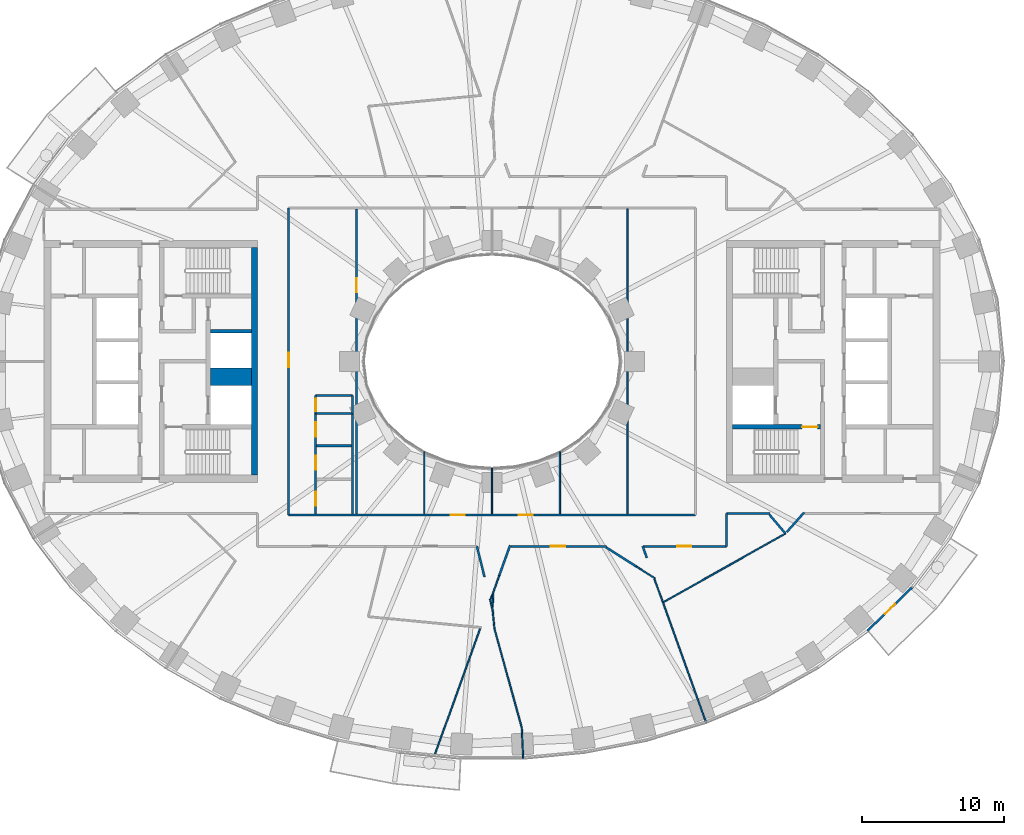
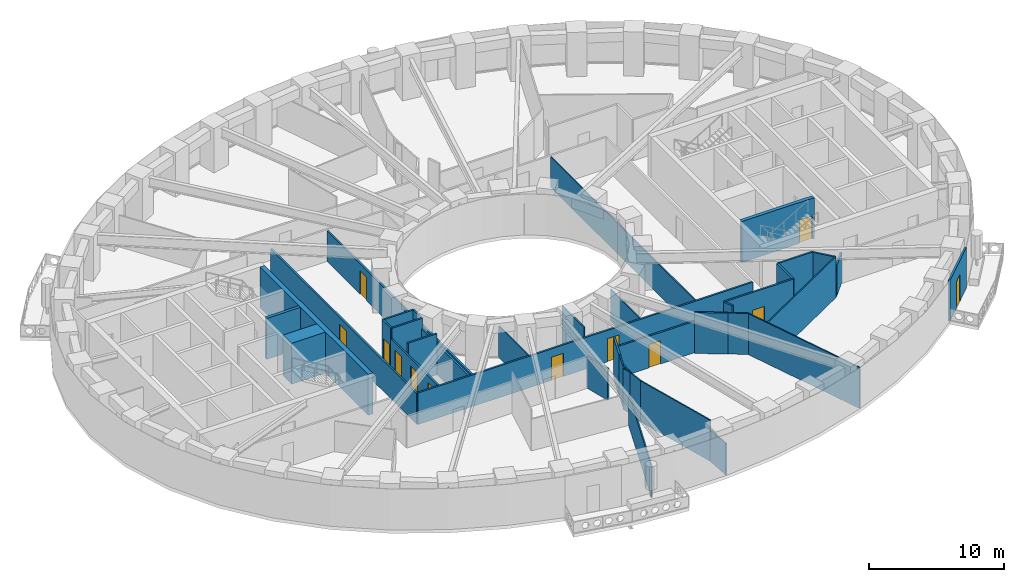
# One storey, part 4 of 16: 39 walls, 12 doors, 12 openings.
"""IFC4 building model written with IfcOpenShell, lengths in metres."""

from ifc_helpers import new_model, si_unit, direction, frame, frame_2d, origin, place, context, subcontext, project, spatial, rectangle, extrude, material, layer, layer_set, type_object, element, fill, save


model = new_model("IFC4")

# Units and contexts
model_context = context("Model", 3, precision=1e-05, world=origin(), true_north=direction((0.0, 1.0)))
body_context = subcontext(model_context, "Body", "Model", "MODEL_VIEW")
ifc_project = project(units=[si_unit("LENGTHUNIT", "METRE"), si_unit("AREAUNIT", "SQUARE_METRE"), si_unit("VOLUMEUNIT", "CUBIC_METRE"), si_unit("PLANEANGLEUNIT", "RADIAN"), si_unit("MASSUNIT", "GRAM", prefix="KILO")], contexts=[model_context])

# Site, building, storey
site_placement = place(None, origin())
site = spatial("IfcSite", under=ifc_project, at=site_placement, CompositionType="ELEMENT")
building_placement = place(site_placement, origin())
building = spatial("IfcBuilding", under=site, at=building_placement, Name="Noorbagh Ring Tower", CompositionType="ELEMENT")
storey_placement = place(building_placement, frame((0.0, 0.0, 46.5)))
storey = spatial("IfcBuildingStorey", under=building, at=storey_placement, Name="L09", CompositionType="ELEMENT", Elevation=46.5)

# Wall, opening, door
ifc_material_1 = material(Name="Gypsum board on steel studs", Category="steel")
ifc_layer_1 = layer(ifc_material_1, 0.14990234375)
ifc_layer_set_1 = layer_set([ifc_layer_1], Name="Gypsum board on steel studs")
wall_type_1 = type_object("IfcWallType", Name="COMPARTMENT PARTITION 150 EI 60", PredefinedType="PARTITIONING", material=ifc_layer_set_1)
wall_1_placement = place(storey_placement, frame((-12.39990234375, -3.659912109375, 0.0), z_axis=(0.0, 0.0, 1.0), x_axis=(0.0, 1.0, 0.0)))
wall_1 = element("IfcWall", 1, at=wall_1_placement, inside=storey, type_object=wall_type_1, Name="L09/wall/P22", PredefinedType="PARTITIONING", context=body_context, shape_type="SweptSolid", body=[
    extrude(rectangle(XDim=1.260009765625, YDim=0.14990234375, at=frame_2d((0.6298828125, 0.0))), origin(), (0.0, 0.0, 1.0), 3.699951171875),
])
opening_1_placement = place(wall_1_placement, frame((0.14990234375, 0.0, 0.0)))
opening_1 = element("IfcOpeningElement", 2, at=opening_1_placement, cuts=wall_1, Name="Opening D4", PredefinedType="OPENING", context=body_context, shape_type="SweptSolid", body=[
    extrude(rectangle(XDim=0.89990234375, YDim=2.10009765625, at=frame_2d((0.449951171875, 1.050048828125))), frame((0.0, 0.0849609375, 0.0), z_axis=(0.0, -1.0, 0.0), x_axis=(1.0, 0.0, 0.0)), (0.0, 0.0, 1.0), 0.169921875),
])
ifc_material_2 = material(Name="Timber, painted", Category="wood")
door_type_1 = type_object("IfcDoorType", Name="DOOR 900 X 2100 FD60", OperationType="SINGLE_SWING_LEFT", PredefinedType="DOOR", material=ifc_material_2)
door_1_placement = place(opening_1_placement, origin())
door_1 = element("IfcDoor", 3, at=door_1_placement, inside=storey, type_object=door_type_1, Name="L09-D05", OperationType="SINGLE_SWING_LEFT", OverallHeight=2.10009765625, OverallWidth=0.89990234375, PredefinedType="DOOR", context=body_context, shape_type="SweptSolid", body=[
    extrude(rectangle(XDim=0.89990234375, YDim=2.10009765625, at=frame_2d((0.449951171875, 1.050048828125))), frame((0.0, 0.02490234375, 0.0), z_axis=(0.0, -1.0, 0.0), x_axis=(1.0, 0.0, 0.0)), (0.0, 0.0, 1.0), 0.050048828125),
])
fill(opening_1, door_1)

# Walls
wall_2_placement = place(storey_placement, frame((-12.39990234375, -3.659912109375, 0.0), z_axis=(0.0, 0.0, 1.0), x_axis=(1.0, 0.0, 0.0)))
element("IfcWall", 4, at=wall_2_placement, inside=storey, type_object=wall_type_1, Name="L09/wall/P23", PredefinedType="PARTITIONING", context=body_context, shape_type="SweptSolid", body=[
    extrude(rectangle(XDim=2.599853515625, YDim=0.14990234375, at=frame_2d((1.2998046875, 0.0))), origin(), (0.0, 0.0, 1.0), 3.699951171875),
])
wall_3_placement = place(storey_placement, frame((-12.39990234375, -2.39990234375, 0.0), z_axis=(0.0, 0.0, 1.0), x_axis=(1.0, 0.0, 0.0)))
element("IfcWall", 5, at=wall_3_placement, inside=storey, type_object=wall_type_1, Name="L09/wall/P24", PredefinedType="PARTITIONING", context=body_context, shape_type="SweptSolid", body=[
    extrude(rectangle(XDim=2.595947265625, YDim=0.14990234375, at=frame_2d((1.2978515625, 0.0))), origin(), (0.0, 0.0, 1.0), 3.699951171875),
])
wall_4_placement = place(storey_placement, frame((-9.800048828125, -3.659912109375, 0.0), z_axis=(0.0, 0.0, 1.0), x_axis=(0.0, 1.0, 0.0)))
element("IfcWall", 6, at=wall_4_placement, inside=storey, type_object=wall_type_1, Name="L09/wall/P26", PredefinedType="PARTITIONING", context=body_context, shape_type="SweptSolid", body=[
    extrude(rectangle(XDim=1.255859375, YDim=0.14990234375, at=frame_2d((0.6279296875, 0.0))), origin(), (0.0, 0.0, 1.0), 3.699951171875),
])
ifc_material_3 = material(Name="Concrete C70/85", Category="concrete")
ifc_layer_2 = layer(ifc_material_3, 1.25)
ifc_layer_set_2 = layer_set([ifc_layer_2], Name="Concrete C70/85")
wall_type_2 = type_object("IfcWallType", Name="CORE-WALL-1250-C70-85-EI120", PredefinedType="SHEAR", material=ifc_layer_set_2)
wall_5_placement = place(storey_placement, frame((-16.89990234375, -1.074951171875, 0.0), z_axis=(0.0, 0.0, 1.0), x_axis=(-1.0, 0.0, 0.0)))
element("IfcWall", 7, at=wall_5_placement, inside=storey, type_object=wall_type_2, Name="Core wall W", PredefinedType="SHEAR", context=body_context, shape_type="SweptSolid", body=[
    extrude(rectangle(XDim=2.900146484375, YDim=1.25, at=frame_2d((1.4501953125, 0.0))), origin(), (0.0, 0.0, 1.0), 3.699951171875),
])
ifc_material_4 = material(Name="Concrete C70/85", Category="concrete")
ifc_layer_3 = layer(ifc_material_4, 0.25)
ifc_layer_set_3 = layer_set([ifc_layer_3], Name="Concrete C70/85")
wall_type_3 = type_object("IfcWallType", Name="CORE-WALL-250-C70-85-EI120", PredefinedType="SHEAR", material=ifc_layer_set_3)
wall_6_placement = place(storey_placement, frame((-16.89990234375, 2.125, 0.0), z_axis=(0.0, 0.0, 1.0), x_axis=(-1.0, 0.0, 0.0)))
element("IfcWall", 8, at=wall_6_placement, inside=storey, type_object=wall_type_3, Name="Core wall W", PredefinedType="SHEAR", context=body_context, shape_type="SweptSolid", body=[
    extrude(rectangle(XDim=2.900146484375, YDim=0.25, at=frame_2d((1.4501953125, 0.0))), origin(), (0.0, 0.0, 1.0), 3.699951171875),
])

# Wall, opening, door
ifc_material_5 = material(Name="Concrete C70/85", Category="concrete")
ifc_layer_4 = layer(ifc_material_5, 0.300048828125)
ifc_layer_set_4 = layer_set([ifc_layer_4], Name="Concrete C70/85")
wall_type_4 = type_object("IfcWallType", Name="CORE-WALL-300-C70-85-EI240", PredefinedType="SHEAR", material=ifc_layer_set_4)
wall_7_placement = place(storey_placement, frame((16.89990234375, -4.60009765625, 0.0), z_axis=(0.0, 0.0, 1.0), x_axis=(1.0, 0.0, 0.0)))
wall_7 = element("IfcWall", 9, at=wall_7_placement, inside=storey, type_object=wall_type_4, Name="Core wall E", PredefinedType="SHEAR", context=body_context, shape_type="SweptSolid", body=[
    extrude(rectangle(XDim=6.18017578125, YDim=0.300048828125, at=frame_2d((3.090087890625, 0.0))), origin(), (0.0, 0.0, 1.0), 3.699951171875),
])
opening_2_placement = place(wall_7_placement, frame((4.89990234375, 0.0, 0.0)))
opening_2 = element("IfcOpeningElement", 10, at=opening_2_placement, cuts=wall_7, Name="Opening L09-CE06", PredefinedType="OPENING", context=body_context, shape_type="SweptSolid", body=[
    extrude(rectangle(XDim=1.10009765625, YDim=2.10009765625, at=frame_2d((0.550048828125, 1.050048828125))), frame((0.0, 0.16015625, 0.0), z_axis=(0.0, -1.0, 0.0), x_axis=(1.0, 0.0, 0.0)), (0.0, 0.0, 1.0), 0.320068359375),
])
ifc_material_6 = material(Name="Steel door leaf", Category="steel")
door_type_2 = type_object("IfcDoorType", Name="CORE-DOOR-DSTAIR", OperationType="SINGLE_SWING_LEFT", PredefinedType="DOOR", material=ifc_material_6)
door_2_placement = place(opening_2_placement, origin())
door_2 = element("IfcDoor", 11, at=door_2_placement, inside=storey, type_object=door_type_2, Name="Stair door ST4 L09-CE06", OperationType="SINGLE_SWING_RIGHT", OverallHeight=2.10009765625, OverallWidth=1.10009765625, PredefinedType="DOOR", context=body_context, shape_type="SweptSolid", body=[
    extrude(rectangle(XDim=1.10009765625, YDim=2.10009765625, at=frame_2d((0.550048828125, 1.050048828125))), frame((0.0, 0.02490234375, 0.0), z_axis=(0.0, -1.0, 0.0), x_axis=(1.0, 0.0, 0.0)), (0.0, 0.0, 1.0), 0.050048828125),
])
fill(opening_2, door_2)

# Wall
ifc_material_7 = material(Name="Concrete C70/85", Category="concrete")
ifc_layer_5 = layer(ifc_material_7, 0.39990234375)
ifc_layer_set_5 = layer_set([ifc_layer_5], Name="Concrete C70/85")
wall_type_5 = type_object("IfcWallType", Name="CORE-WALL-400-C70-85-EI240", PredefinedType="SHEAR", material=ifc_layer_set_5)
wall_8_placement = place(storey_placement, frame((-16.699951171875, -8.0, 0.0), z_axis=(0.0, 0.0, 1.0), x_axis=(0.0, 1.0, 0.0)))
element("IfcWall", 12, at=wall_8_placement, inside=storey, type_object=wall_type_5, Name="Core wall W", PredefinedType="SHEAR", context=body_context, shape_type="SweptSolid", body=[
    extrude(rectangle(XDim=16.0, YDim=0.39990234375, at=frame_2d((8.0, 0.0))), origin(), (0.0, 0.0, 1.0), 3.699951171875),
])

# Wall, opening, door
ifc_material_8 = material(Name="Gypsum board on steel studs", Category="steel")
ifc_layer_6 = layer(ifc_material_8, 0.14990234375)
ifc_layer_set_6 = layer_set([ifc_layer_6], Name="Gypsum board on steel studs")
wall_type_6 = type_object("IfcWallType", Name="CORRIDOR PARTITION 150 EI 30", PredefinedType="PARTITIONING", material=ifc_layer_set_6)
wall_9_placement = place(storey_placement, frame((-14.300048828125, -10.800048828125, 0.0), z_axis=(0.0, 0.0, 1.0), x_axis=(0.0, 1.0, 0.0)))
wall_9 = element("IfcWall", 13, at=wall_9_placement, inside=storey, type_object=wall_type_6, Name="L09/wall/P16", PredefinedType="PARTITIONING", context=body_context, shape_type="SweptSolid", body=[
    extrude(rectangle(XDim=21.60009765625, YDim=0.14990234375, at=frame_2d((10.800048828125, 0.0))), origin(), (0.0, 0.0, 1.0), 2.75),
])
opening_3_placement = place(wall_9_placement, frame((10.39990234375, 0.0, 0.0)))
opening_3 = element("IfcOpeningElement", 14, at=opening_3_placement, cuts=wall_9, Name="Opening D1", PredefinedType="OPENING", context=body_context, shape_type="SweptSolid", body=[
    extrude(rectangle(XDim=1.0, YDim=2.10009765625, at=frame_2d((0.5, 1.050048828125))), frame((0.0, 0.0849609375, 0.0), z_axis=(0.0, -1.0, 0.0), x_axis=(1.0, 0.0, 0.0)), (0.0, 0.0, 1.0), 0.169921875),
])
ifc_material_9 = material(Name="Timber, painted", Category="wood")
door_type_3 = type_object("IfcDoorType", Name="DOOR 1000 X 2100 FD30", OperationType="SINGLE_SWING_LEFT", PredefinedType="DOOR", material=ifc_material_9)
door_3_placement = place(opening_3_placement, origin())
door_3 = element("IfcDoor", 15, at=door_3_placement, inside=storey, type_object=door_type_3, Name="L09-D01", OperationType="SINGLE_SWING_LEFT", OverallHeight=2.10009765625, OverallWidth=1.0, PredefinedType="DOOR", context=body_context, shape_type="SweptSolid", body=[
    extrude(rectangle(XDim=1.0, YDim=2.10009765625, at=frame_2d((0.5, 1.050048828125))), frame((0.0, 0.02490234375, 0.0), z_axis=(0.0, -1.0, 0.0), x_axis=(1.0, 0.0, 0.0)), (0.0, 0.0, 1.0), 0.050048828125),
])
fill(opening_3, door_3)

# Wall, openings, doors
wall_10_placement = place(storey_placement, frame((-14.300048828125, -10.800048828125, 0.0), z_axis=(0.0, 0.0, 1.0), x_axis=(1.0, 0.0, 0.0)))
wall_10 = element("IfcWall", 16, at=wall_10_placement, inside=storey, type_object=wall_type_6, Name="L09/wall/P17", PredefinedType="PARTITIONING", context=body_context, shape_type="SweptSolid", body=[
    extrude(rectangle(XDim=28.60009765625, YDim=0.14990234375, at=frame_2d((14.300048828125, 0.0))), origin(), (0.0, 0.0, 1.0), 2.85009765625),
])
opening_4_placement = place(wall_10_placement, frame((11.39990234375, 0.0, 0.0)))
opening_4 = element("IfcOpeningElement", 17, at=opening_4_placement, cuts=wall_10, Name="Opening D1", PredefinedType="OPENING", context=body_context, shape_type="SweptSolid", body=[
    extrude(rectangle(XDim=1.0, YDim=2.10009765625, at=frame_2d((0.5, 1.050048828125))), frame((0.0, 0.0849609375, 0.0), z_axis=(0.0, -1.0, 0.0), x_axis=(1.0, 0.0, 0.0)), (0.0, 0.0, 1.0), 0.169921875),
])
opening_5_placement = place(wall_10_placement, frame((16.1669921875, 0.0, 0.0)))
opening_5 = element("IfcOpeningElement", 18, at=opening_5_placement, cuts=wall_10, Name="Opening D1", PredefinedType="OPENING", context=body_context, shape_type="SweptSolid", body=[
    extrude(rectangle(XDim=1.0, YDim=2.10009765625, at=frame_2d((0.5, 1.050048828125))), frame((0.0, 0.0849609375, 0.0), z_axis=(0.0, -1.0, 0.0), x_axis=(1.0, 0.0, 0.0)), (0.0, 0.0, 1.0), 0.169921875),
])
door_4_placement = place(opening_4_placement, origin())
door_4 = element("IfcDoor", 19, at=door_4_placement, inside=storey, type_object=door_type_3, Name="L09-D21", OperationType="SINGLE_SWING_LEFT", OverallHeight=2.10009765625, OverallWidth=1.0, PredefinedType="DOOR", context=body_context, shape_type="SweptSolid", body=[
    extrude(rectangle(XDim=1.0, YDim=2.10009765625, at=frame_2d((0.5, 1.050048828125))), frame((0.0, 0.02490234375, 0.0), z_axis=(0.0, -1.0, 0.0), x_axis=(1.0, 0.0, 0.0)), (0.0, 0.0, 1.0), 0.050048828125),
])
fill(opening_4, door_4)
door_5_placement = place(opening_5_placement, origin())
door_5 = element("IfcDoor", 20, at=door_5_placement, inside=storey, type_object=door_type_3, Name="L09-D23", OperationType="SINGLE_SWING_LEFT", OverallHeight=2.10009765625, OverallWidth=1.0, PredefinedType="DOOR", context=body_context, shape_type="SweptSolid", body=[
    extrude(rectangle(XDim=1.0, YDim=2.10009765625, at=frame_2d((0.5, 1.050048828125))), frame((0.0, 0.02490234375, 0.0), z_axis=(0.0, -1.0, 0.0), x_axis=(1.0, 0.0, 0.0)), (0.0, 0.0, 1.0), 0.050048828125),
])
fill(opening_5, door_5)

wall_11_placement = place(storey_placement, frame((-12.39990234375, -10.72509765625, 0.0), z_axis=(0.0, 0.0, 1.0), x_axis=(0.0, 1.0, 0.0)))
wall_11 = element("IfcWall", 21, at=wall_11_placement, inside=storey, type_object=wall_type_6, Name="L09/wall/P19", PredefinedType="PARTITIONING", context=body_context, shape_type="SweptSolid", body=[
    extrude(rectangle(XDim=7.065185546875, YDim=0.14990234375, at=frame_2d((3.53271484375, 0.0))), origin(), (0.0, 0.0, 1.0), 2.75),
])
opening_6_placement = place(wall_11_placement, frame((0.574951171875, 0.0, 0.0)))
opening_6 = element("IfcOpeningElement", 22, at=opening_6_placement, cuts=wall_11, Name="Opening D3", PredefinedType="OPENING", context=body_context, shape_type="SweptSolid", body=[
    extrude(rectangle(XDim=1.0, YDim=2.10009765625, at=frame_2d((0.5, 1.050048828125))), frame((0.0, 0.0849609375, 0.0), z_axis=(0.0, -1.0, 0.0), x_axis=(1.0, 0.0, 0.0)), (0.0, 0.0, 1.0), 0.169921875),
])
opening_7_placement = place(wall_11_placement, frame((3.094970703125, 0.0, 0.0)))
opening_7 = element("IfcOpeningElement", 23, at=opening_7_placement, cuts=wall_11, Name="Opening D3", PredefinedType="OPENING", context=body_context, shape_type="SweptSolid", body=[
    extrude(rectangle(XDim=1.0, YDim=2.10009765625, at=frame_2d((0.5, 1.050048828125))), frame((0.0, 0.0849609375, 0.0), z_axis=(0.0, -1.0, 0.0), x_axis=(1.0, 0.0, 0.0)), (0.0, 0.0, 1.0), 0.169921875),
])
opening_8_placement = place(wall_11_placement, frame((5.447021484375, 0.0, 0.0)))
opening_8 = element("IfcOpeningElement", 24, at=opening_8_placement, cuts=wall_11, Name="Opening D3", PredefinedType="OPENING", context=body_context, shape_type="SweptSolid", body=[
    extrude(rectangle(XDim=1.0, YDim=2.10009765625, at=frame_2d((0.5, 1.050048828125))), frame((0.0, 0.0849609375, 0.0), z_axis=(0.0, -1.0, 0.0), x_axis=(1.0, 0.0, 0.0)), (0.0, 0.0, 1.0), 0.169921875),
])
ifc_material_10 = material(Name="Timber, painted", Category="wood")
door_type_4 = type_object("IfcDoorType", Name="DOOR 1000 X 2100 WC", OperationType="SINGLE_SWING_LEFT", PredefinedType="DOOR", material=ifc_material_10)
door_6_placement = place(opening_6_placement, origin())
door_6 = element("IfcDoor", 25, at=door_6_placement, inside=storey, type_object=door_type_4, Name="L09-D02", OperationType="SINGLE_SWING_RIGHT", OverallHeight=2.10009765625, OverallWidth=1.0, PredefinedType="DOOR", context=body_context, shape_type="SweptSolid", body=[
    extrude(rectangle(XDim=1.0, YDim=2.10009765625, at=frame_2d((0.5, 1.050048828125))), frame((0.0, 0.02490234375, 0.0), z_axis=(0.0, -1.0, 0.0), x_axis=(1.0, 0.0, 0.0)), (0.0, 0.0, 1.0), 0.050048828125),
])
fill(opening_6, door_6)
door_7_placement = place(opening_7_placement, origin())
door_7 = element("IfcDoor", 26, at=door_7_placement, inside=storey, type_object=door_type_4, Name="L09-D03", OperationType="SINGLE_SWING_LEFT", OverallHeight=2.10009765625, OverallWidth=1.0, PredefinedType="DOOR", context=body_context, shape_type="SweptSolid", body=[
    extrude(rectangle(XDim=1.0, YDim=2.10009765625, at=frame_2d((0.5, 1.050048828125))), frame((0.0, 0.02490234375, 0.0), z_axis=(0.0, -1.0, 0.0), x_axis=(1.0, 0.0, 0.0)), (0.0, 0.0, 1.0), 0.050048828125),
])
fill(opening_7, door_7)
door_8_placement = place(opening_8_placement, origin())
door_8 = element("IfcDoor", 27, at=door_8_placement, inside=storey, type_object=door_type_4, Name="L09-D04", OperationType="SINGLE_SWING_RIGHT", OverallHeight=2.10009765625, OverallWidth=1.0, PredefinedType="DOOR", context=body_context, shape_type="SweptSolid", body=[
    extrude(rectangle(XDim=1.0, YDim=2.10009765625, at=frame_2d((0.5, 1.050048828125))), frame((0.0, 0.02490234375, 0.0), z_axis=(0.0, -1.0, 0.0), x_axis=(1.0, 0.0, 0.0)), (0.0, 0.0, 1.0), 0.050048828125),
])
fill(opening_8, door_8)

# Walls
wall_12_placement = place(storey_placement, frame((-12.324951171875, -5.927978515625, 0.0), z_axis=(0.0, 0.0, 1.0), x_axis=(1.0, 0.0, 0.0)))
element("IfcWall", 28, at=wall_12_placement, inside=storey, type_object=wall_type_6, Name="L09/wall/P21", PredefinedType="PARTITIONING", context=body_context, shape_type="SweptSolid", body=[
    extrude(rectangle(XDim=2.449951171875, YDim=0.14990234375, at=frame_2d((1.22509765625, 0.0))), origin(), (0.0, 0.0, 1.0), 3.699951171875),
])
wall_13_placement = place(storey_placement, frame((-9.800048828125, -10.72509765625, 0.0), z_axis=(0.0, 0.0, 1.0), x_axis=(0.0, 1.0, 0.0)))
element("IfcWall", 29, at=wall_13_placement, inside=storey, type_object=wall_type_6, Name="L09/wall/P25", PredefinedType="PARTITIONING", context=body_context, shape_type="SweptSolid", body=[
    extrude(rectangle(XDim=7.065185546875, YDim=0.14990234375, at=frame_2d((3.53271484375, 0.0))), origin(), (0.0, 0.0, 1.0), 2.75),
])

# Wall, opening, door
wall_14_placement = place(storey_placement, frame((-9.532958984375, -10.72509765625, 0.0), z_axis=(0.0, 0.0, 1.0), x_axis=(0.0, 1.0, 0.0)))
wall_14 = element("IfcWall", 30, at=wall_14_placement, inside=storey, type_object=wall_type_6, Name="L09/wall/P27", PredefinedType="PARTITIONING", context=body_context, shape_type="SweptSolid", body=[
    extrude(rectangle(XDim=21.4501953125, YDim=0.14990234375, at=frame_2d((10.72509765625, 0.0))), origin(), (0.0, 0.0, 1.0), 2.75),
])
opening_9_placement = place(wall_14_placement, frame((15.574951171875, 0.0, 0.0)))
opening_9 = element("IfcOpeningElement", 31, at=opening_9_placement, cuts=wall_14, Name="Opening D1", PredefinedType="OPENING", context=body_context, shape_type="SweptSolid", body=[
    extrude(rectangle(XDim=1.0, YDim=2.10009765625, at=frame_2d((0.5, 1.050048828125))), frame((0.0, 0.0849609375, 0.0), z_axis=(0.0, -1.0, 0.0), x_axis=(1.0, 0.0, 0.0)), (0.0, 0.0, 1.0), 0.169921875),
])
door_9_placement = place(opening_9_placement, origin())
door_9 = element("IfcDoor", 32, at=door_9_placement, inside=storey, type_object=door_type_3, Name="L09-D20", OperationType="SINGLE_SWING_RIGHT", OverallHeight=2.10009765625, OverallWidth=1.0, PredefinedType="DOOR", context=body_context, shape_type="SweptSolid", body=[
    extrude(rectangle(XDim=1.0, YDim=2.10009765625, at=frame_2d((0.5, 1.050048828125))), frame((0.0, 0.02490234375, 0.0), z_axis=(0.0, -1.0, 0.0), x_axis=(1.0, 0.0, 0.0)), (0.0, 0.0, 1.0), 0.050048828125),
])
fill(opening_9, door_9)

# Walls
wall_15_placement = place(storey_placement, frame((-1.06103515625, -13.0, 0.0), z_axis=(0.0, 0.0, 1.0), x_axis=(0.240081023427, -0.9707528533, 0.0)))
element("IfcWall", 33, at=wall_15_placement, inside=storey, type_object=wall_type_6, Name="L09/wall/P38", PredefinedType="PARTITIONING", context=body_context, shape_type="SweptSolid", body=[
    extrude(rectangle(XDim=2.223876953125, YDim=0.14990234375, at=frame_2d((1.11181640625, 0.0))), origin(), (0.0, 0.0, 1.0), 2.85009765625),
])
wall_16_placement = place(storey_placement, frame((0.4990234375, -15.074951171875, 0.0), z_axis=(0.0, 0.0, 1.0), x_axis=(0.338871070746, 0.940832821181, 0.0)))
element("IfcWall", 34, at=wall_16_placement, inside=storey, type_object=wall_type_6, Name="L09/wall/P52", PredefinedType="PARTITIONING", context=body_context, shape_type="SweptSolid", body=[
    extrude(rectangle(XDim=2.281005859375, YDim=0.14990234375, at=frame_2d((1.140625, 0.0))), origin(), (0.0, 0.0, 1.0), 3.699951171875),
])

# Wall, opening, door
wall_17_placement = place(storey_placement, frame((1.325927734375, -13.0, 0.0), z_axis=(0.0, 0.0, 1.0), x_axis=(1.0, 0.0, 0.0)))
wall_17 = element("IfcWall", 35, at=wall_17_placement, inside=storey, type_object=wall_type_6, Name="L09/wall/P54", PredefinedType="PARTITIONING", context=body_context, shape_type="SweptSolid", body=[
    extrude(rectangle(XDim=6.72119140625, YDim=0.14990234375, at=frame_2d((3.360595703125, 0.0))), origin(), (0.0, 0.0, 1.0), 2.85009765625),
])
opening_10_placement = place(wall_17_placement, frame((2.820068359375, 0.0, 0.0)))
opening_10 = element("IfcOpeningElement", 36, at=opening_10_placement, cuts=wall_17, Name="Opening D1", PredefinedType="OPENING", context=body_context, shape_type="SweptSolid", body=[
    extrude(rectangle(XDim=1.0, YDim=2.10009765625, at=frame_2d((0.5, 1.050048828125))), frame((0.0, 0.0849609375, 0.0), z_axis=(0.0, -1.0, 0.0), x_axis=(1.0, 0.0, 0.0)), (0.0, 0.0, 1.0), 0.169921875),
])
door_10_placement = place(opening_10_placement, origin())
door_10 = element("IfcDoor", 37, at=door_10_placement, inside=storey, type_object=door_type_3, Name="L09-D14", OperationType="SINGLE_SWING_RIGHT", OverallHeight=2.10009765625, OverallWidth=1.0, PredefinedType="DOOR", context=body_context, shape_type="SweptSolid", body=[
    extrude(rectangle(XDim=1.0, YDim=2.10009765625, at=frame_2d((0.5, 1.050048828125))), frame((0.0, 0.02490234375, 0.0), z_axis=(0.0, -1.0, 0.0), x_axis=(1.0, 0.0, 0.0)), (0.0, 0.0, 1.0), 0.050048828125),
])
fill(opening_10, door_10)

# Walls
wall_18_placement = place(storey_placement, frame((8.028076171875, -13.076904296875, 0.0), z_axis=(0.0, 0.0, 1.0), x_axis=(0.844718865656, -0.53521027457, 0.0)))
element("IfcWall", 38, at=wall_18_placement, inside=storey, type_object=wall_type_6, Name="L09/wall/P60", PredefinedType="PARTITIONING", context=body_context, shape_type="SweptSolid", body=[
    extrude(rectangle(XDim=2.49658203125, YDim=0.14990234375, at=frame_2d((1.248291015625, 0.0))), origin(), (0.0, 0.0, 1.0), 3.699951171875),
])
wall_19_placement = place(storey_placement, frame((10.594970703125, -13.0, 0.0), z_axis=(0.0, 0.0, 1.0), x_axis=(0.338378813476, -0.941009977944, 0.0)))
element("IfcWall", 39, at=wall_19_placement, inside=storey, type_object=wall_type_6, Name="L09/wall/P65", PredefinedType="PARTITIONING", context=body_context, shape_type="SweptSolid", body=[
    extrude(rectangle(XDim=0.863037109375, YDim=0.14990234375, at=frame_2d((0.431640625, 0.0))), origin(), (0.0, 0.0, 1.0), 3.699951171875),
])

# Wall, opening, door
wall_20_placement = place(storey_placement, frame((10.60693359375, -13.0, 0.0), z_axis=(0.0, 0.0, 1.0), x_axis=(1.0, 0.0, 0.0)))
wall_20 = element("IfcWall", 40, at=wall_20_placement, inside=storey, type_object=wall_type_6, Name="L09/wall/P67", PredefinedType="PARTITIONING", context=body_context, shape_type="SweptSolid", body=[
    extrude(rectangle(XDim=5.89306640625, YDim=0.14990234375, at=frame_2d((2.946533203125, 0.0))), origin(), (0.0, 0.0, 1.0), 3.699951171875),
])
opening_11_placement = place(wall_20_placement, frame((2.39990234375, 0.0, 0.0)))
opening_11 = element("IfcOpeningElement", 41, at=opening_11_placement, cuts=wall_20, Name="Opening D1", PredefinedType="OPENING", context=body_context, shape_type="SweptSolid", body=[
    extrude(rectangle(XDim=1.0, YDim=2.10009765625, at=frame_2d((0.5, 1.050048828125))), frame((0.0, 0.0849609375, 0.0), z_axis=(0.0, -1.0, 0.0), x_axis=(1.0, 0.0, 0.0)), (0.0, 0.0, 1.0), 0.169921875),
])
door_11_placement = place(opening_11_placement, origin())
door_11 = element("IfcDoor", 42, at=door_11_placement, inside=storey, type_object=door_type_3, Name="L09-D16", OperationType="SINGLE_SWING_RIGHT", OverallHeight=2.10009765625, OverallWidth=1.0, PredefinedType="DOOR", context=body_context, shape_type="SweptSolid", body=[
    extrude(rectangle(XDim=1.0, YDim=2.10009765625, at=frame_2d((0.5, 1.050048828125))), frame((0.0, 0.02490234375, 0.0), z_axis=(0.0, -1.0, 0.0), x_axis=(1.0, 0.0, 0.0)), (0.0, 0.0, 1.0), 0.050048828125),
])
fill(opening_11, door_11)

# Walls
wall_21_placement = place(storey_placement, frame((16.5, -13.0, 0.0), z_axis=(0.0, 0.0, 1.0), x_axis=(0.0, 1.0, 0.0)))
element("IfcWall", 43, at=wall_21_placement, inside=storey, type_object=wall_type_6, Name="L09/wall/P74", PredefinedType="PARTITIONING", context=body_context, shape_type="SweptSolid", body=[
    extrude(rectangle(XDim=2.300048828125, YDim=0.14990234375, at=frame_2d((1.14990234375, 0.0))), origin(), (0.0, 0.0, 1.0), 3.699951171875),
])
wall_22_placement = place(storey_placement, frame((16.5, -10.699951171875, 0.0), z_axis=(0.0, 0.0, 1.0), x_axis=(1.0, 0.0, 0.0)))
element("IfcWall", 44, at=wall_22_placement, inside=storey, type_object=wall_type_6, Name="L09/wall/P75", PredefinedType="PARTITIONING", context=body_context, shape_type="SweptSolid", body=[
    extrude(rectangle(XDim=3.04296875, YDim=0.14990234375, at=frame_2d((1.521484375, 0.0))), origin(), (0.0, 0.0, 1.0), 3.699951171875),
])
wall_23_placement = place(storey_placement, frame((19.510986328125, -10.778076171875, 0.0), z_axis=(0.0, 0.0, 1.0), x_axis=(0.646491141339, -0.762921492796, 0.0)))
element("IfcWall", 45, at=wall_23_placement, inside=storey, type_object=wall_type_6, Name="L09/wall/P78", PredefinedType="PARTITIONING", context=body_context, shape_type="SweptSolid", body=[
    extrude(rectangle(XDim=1.734130859375, YDim=0.14990234375, at=frame_2d((0.8671875, 0.0))), origin(), (0.0, 0.0, 1.0), 3.699951171875),
])
wall_24_placement = place(storey_placement, frame((20.72705078125, -11.993896484375, 0.0), z_axis=(0.0, 0.0, 1.0), x_axis=(0.663767495264, 0.747938976275, 0.0)))
element("IfcWall", 46, at=wall_24_placement, inside=storey, type_object=wall_type_6, Name="L09/wall/P80", PredefinedType="PARTITIONING", context=body_context, shape_type="SweptSolid", body=[
    extrude(rectangle(XDim=1.830322265625, YDim=0.14990234375, at=frame_2d((0.9150390625, 0.0))), origin(), (0.0, 0.0, 1.0), 2.75),
])

# Wall, opening, door
ifc_material_11 = material(Name="Insulated aluminium clad panel", Category="aluminium")
ifc_layer_7 = layer(ifc_material_11, 0.14990234375)
ifc_layer_set_7 = layer_set([ifc_layer_7], Name="Insulated aluminium clad panel")
wall_type_7 = type_object("IfcWallType", Name="ENV-WALL-DOOR", PredefinedType="STANDARD", material=ifc_layer_set_7)
wall_25_placement = place(storey_placement, frame((26.396484375, -18.943359375, 0.0), z_axis=(0.0, 0.0, 1.0), x_axis=(0.717214761864, 0.696852197647, 0.0)))
wall_25 = element("IfcWall", 47, at=wall_25_placement, inside=storey, type_object=wall_type_7, Name="Balcony door wall chord 42", PredefinedType="STANDARD", context=body_context, shape_type="SweptSolid", body=[
    extrude(rectangle(XDim=4.424072265625, YDim=0.14990234375, at=frame_2d((2.2119140625, 0.0))), origin(), (0.0, 0.0, 1.0), 3.699951171875),
])
opening_12_placement = place(wall_25_placement, frame((1.712158203125, 0.0, 0.0)))
opening_12 = element("IfcOpeningElement", 48, at=opening_12_placement, cuts=wall_25, Name="Opening D-BL", PredefinedType="OPENING", context=body_context, shape_type="SweptSolid", body=[
    extrude(rectangle(XDim=1.0, YDim=2.39990234375, at=frame_2d((0.5, 1.199951171875))), frame((0.0, 0.0849609375, 0.0), z_axis=(0.0, -1.0, 0.0), x_axis=(1.0, 0.0, 0.0)), (0.0, 0.0, 1.0), 0.169921875),
])
ifc_material_12 = material(Name="Aluminium and glass", Category="aluminium")
door_type_5 = type_object("IfcDoorType", Name="ENV-DOOR-BALCONY", OperationType="SINGLE_SWING_LEFT", PredefinedType="DOOR", material=ifc_material_12)
door_12_placement = place(opening_12_placement, origin())
door_12 = element("IfcDoor", 49, at=door_12_placement, inside=storey, type_object=door_type_5, Name="Balcony door chord 42", OperationType="SINGLE_SWING_RIGHT", OverallHeight=2.39990234375, OverallWidth=1.0, PredefinedType="DOOR", context=body_context, shape_type="SweptSolid", body=[
    extrude(rectangle(XDim=1.0, YDim=2.39990234375, at=frame_2d((0.5, 1.199951171875))), frame((0.0, 0.02490234375, 0.0), z_axis=(0.0, -1.0, 0.0), x_axis=(1.0, 0.0, 0.0)), (0.0, 0.0, 1.0), 0.050048828125),
])
fill(opening_12, door_12)

# Walls
ifc_material_13 = material(Name="Gypsum board on steel studs", Category="steel")
ifc_layer_8 = layer(ifc_material_13, 0.10009765625)
ifc_layer_set_8 = layer_set([ifc_layer_8], Name="Gypsum board on steel studs")
wall_type_8 = type_object("IfcWallType", Name="PARTITION 100 GYPSUM", PredefinedType="PARTITIONING", material=ifc_layer_set_8)
wall_26_placement = place(storey_placement, frame((-4.76708984375, -10.72509765625, 0.0), z_axis=(0.0, 0.0, 1.0), x_axis=(0.0, 1.0, 0.0)))
element("IfcWall", 50, at=wall_26_placement, inside=storey, type_object=wall_type_8, Name="L09/wall/P34", PredefinedType="PARTITIONING", context=body_context, shape_type="SweptSolid", body=[
    extrude(rectangle(XDim=4.362060546875, YDim=0.10009765625, at=frame_2d((2.18115234375, 0.0))), origin(), (0.0, 0.0, 1.0), 2.85009765625),
])
wall_27_placement = place(storey_placement, frame((-4.0458984375, -27.717041015625, 0.0), z_axis=(0.0, 0.0, 1.0), x_axis=(0.338447260677, 0.940985362129, 0.0)))
element("IfcWall", 51, at=wall_27_placement, inside=storey, type_object=wall_type_8, Name="L09/wall/P36", PredefinedType="PARTITIONING", context=body_context, shape_type="SweptSolid", body=[
    extrude(rectangle(XDim=9.5283203125, YDim=0.10009765625, at=frame_2d((4.76416015625, 0.0))), origin(), (0.0, 0.0, 1.0), 2.85009765625),
])
wall_28_placement = place(storey_placement, frame((-0.14306640625, -16.715087890625, 0.0), z_axis=(0.0, 0.0, 1.0), x_axis=(0.23958475997, -0.970875451739, 0.0)))
element("IfcWall", 52, at=wall_28_placement, inside=storey, type_object=wall_type_8, Name="L09/wall/P40", PredefinedType="PARTITIONING", context=body_context, shape_type="SweptSolid", body=[
    extrude(rectangle(XDim=0.87646484375, YDim=0.10009765625, at=frame_2d((0.438232421875, 0.0))), origin(), (0.0, 0.0, 1.0), 3.699951171875),
])
wall_29_placement = place(storey_placement, frame((-0.090087890625, -16.718017578125, 0.0), z_axis=(0.0, 0.0, 1.0), x_axis=(0.3382216124, 0.941066491225, 0.0)))
element("IfcWall", 53, at=wall_29_placement, inside=storey, type_object=wall_type_8, Name="L09/wall/P41", PredefinedType="PARTITIONING", context=body_context, shape_type="SweptSolid", body=[
    extrude(rectangle(XDim=1.771484375, YDim=0.10009765625, at=frame_2d((0.8857421875, 0.0))), origin(), (0.0, 0.0, 1.0), 3.699951171875),
])
wall_30_placement = place(storey_placement, frame((0.0, -10.72509765625, 0.0), z_axis=(0.0, 0.0, 1.0), x_axis=(0.0, 1.0, 0.0)))
element("IfcWall", 54, at=wall_30_placement, inside=storey, type_object=wall_type_8, Name="L09/wall/P44", PredefinedType="PARTITIONING", context=body_context, shape_type="SweptSolid", body=[
    extrude(rectangle(XDim=3.22119140625, YDim=0.10009765625, at=frame_2d((1.610595703125, 0.0))), origin(), (0.0, 0.0, 1.0), 3.699951171875),
])
wall_31_placement = place(storey_placement, frame((0.0400390625, -17.283935546875, 0.0), z_axis=(0.0, 0.0, 1.0), x_axis=(0.047302948177, 0.998880589006, 0.0)))
element("IfcWall", 55, at=wall_31_placement, inside=storey, type_object=wall_type_8, Name="L09/wall/P46", PredefinedType="PARTITIONING", context=body_context, shape_type="SweptSolid", body=[
    extrude(rectangle(XDim=0.928955078125, YDim=0.10009765625, at=frame_2d((0.46435546875, 0.0))), origin(), (0.0, 0.0, 1.0), 3.699951171875),
])
wall_32_placement = place(storey_placement, frame((0.0380859375, -17.47412109375, 0.0), z_axis=(0.0, 0.0, 1.0), x_axis=(0.100886401076, -0.99489795159, 0.0)))
element("IfcWall", 56, at=wall_32_placement, inside=storey, type_object=wall_type_8, Name="L09/wall/P48", PredefinedType="PARTITIONING", context=body_context, shape_type="SweptSolid", body=[
    extrude(rectangle(XDim=1.32861328125, YDim=0.10009765625, at=frame_2d((0.664306640625, 0.0))), origin(), (0.0, 0.0, 1.0), 3.699951171875),
])
wall_33_placement = place(storey_placement, frame((0.172119140625, -18.7958984375, 0.0), z_axis=(0.0, 0.0, 1.0), x_axis=(0.265628515821, -0.964075459486, 0.0)))
element("IfcWall", 57, at=wall_33_placement, inside=storey, type_object=wall_type_8, Name="L09/wall/P50", PredefinedType="PARTITIONING", context=body_context, shape_type="SweptSolid", body=[
    extrude(rectangle(XDim=7.212158203125, YDim=0.10009765625, at=frame_2d((3.60595703125, 0.0))), origin(), (0.0, 0.0, 1.0), 3.699951171875),
])
wall_34_placement = place(storey_placement, frame((2.089111328125, -25.77001953125, 0.0), z_axis=(0.0, 0.0, 1.0), x_axis=(0.04733101585, -0.99887925944, 0.0)))
element("IfcWall", 58, at=wall_34_placement, inside=storey, type_object=wall_type_8, Name="L09/wall/P56", PredefinedType="PARTITIONING", context=body_context, shape_type="SweptSolid", body=[
    extrude(rectangle(XDim=2.13037109375, YDim=0.10009765625, at=frame_2d((1.065185546875, 0.0))), origin(), (0.0, 0.0, 1.0), 2.85009765625),
])
wall_35_placement = place(storey_placement, frame((4.76708984375, -10.72509765625, 0.0), z_axis=(0.0, 0.0, 1.0), x_axis=(0.0, 1.0, 0.0)))
element("IfcWall", 59, at=wall_35_placement, inside=storey, type_object=wall_type_8, Name="L09/wall/P58", PredefinedType="PARTITIONING", context=body_context, shape_type="SweptSolid", body=[
    extrude(rectangle(XDim=4.362060546875, YDim=0.10009765625, at=frame_2d((2.18115234375, 0.0))), origin(), (0.0, 0.0, 1.0), 2.85009765625),
])
wall_36_placement = place(storey_placement, frame((9.532958984375, -10.72509765625, 0.0), z_axis=(0.0, 0.0, 1.0), x_axis=(0.0, 1.0, 0.0)))
element("IfcWall", 60, at=wall_36_placement, inside=storey, type_object=wall_type_8, Name="L09/wall/P62", PredefinedType="PARTITIONING", context=body_context, shape_type="SweptSolid", body=[
    extrude(rectangle(XDim=21.4501953125, YDim=0.10009765625, at=frame_2d((10.72509765625, 0.0))), origin(), (0.0, 0.0, 1.0), 2.75),
])
wall_37_placement = place(storey_placement, frame((10.136962890625, -14.4130859375, 0.0), z_axis=(0.0, 0.0, 1.0), x_axis=(0.844849680057, -0.535003755228, 0.0)))
element("IfcWall", 61, at=wall_37_placement, inside=storey, type_object=wall_type_8, Name="L09/wall/P63", PredefinedType="PARTITIONING", context=body_context, shape_type="SweptSolid", body=[
    extrude(rectangle(XDim=1.5625, YDim=0.10009765625, at=frame_2d((0.78125, 0.0))), origin(), (0.0, 0.0, 1.0), 3.699951171875),
])
wall_38_placement = place(storey_placement, frame((11.416015625, -15.281982421875, 0.0), z_axis=(0.0, 0.0, 1.0), x_axis=(0.338824973611, -0.940849423265, 0.0)))
element("IfcWall", 62, at=wall_38_placement, inside=storey, type_object=wall_type_8, Name="L09/wall/P69", PredefinedType="PARTITIONING", context=body_context, shape_type="SweptSolid", body=[
    extrude(rectangle(XDim=10.734130859375, YDim=0.10009765625, at=frame_2d((5.3671875, 0.0))), origin(), (0.0, 0.0, 1.0), 3.699951171875),
])
wall_39_placement = place(storey_placement, frame((12.06005859375, -16.924072265625, 0.0), z_axis=(0.0, 0.0, 1.0), x_axis=(0.871521837039, 0.490356694218, 0.0)))
element("IfcWall", 63, at=wall_39_placement, inside=storey, type_object=wall_type_8, Name="L09/wall/P71", PredefinedType="PARTITIONING", context=body_context, shape_type="SweptSolid", body=[
    extrude(rectangle(XDim=9.835693359375, YDim=0.10009765625, at=frame_2d((4.91796875, 0.0))), origin(), (0.0, 0.0, 1.0), 3.699951171875),
])

save(model, "model.ifc")
